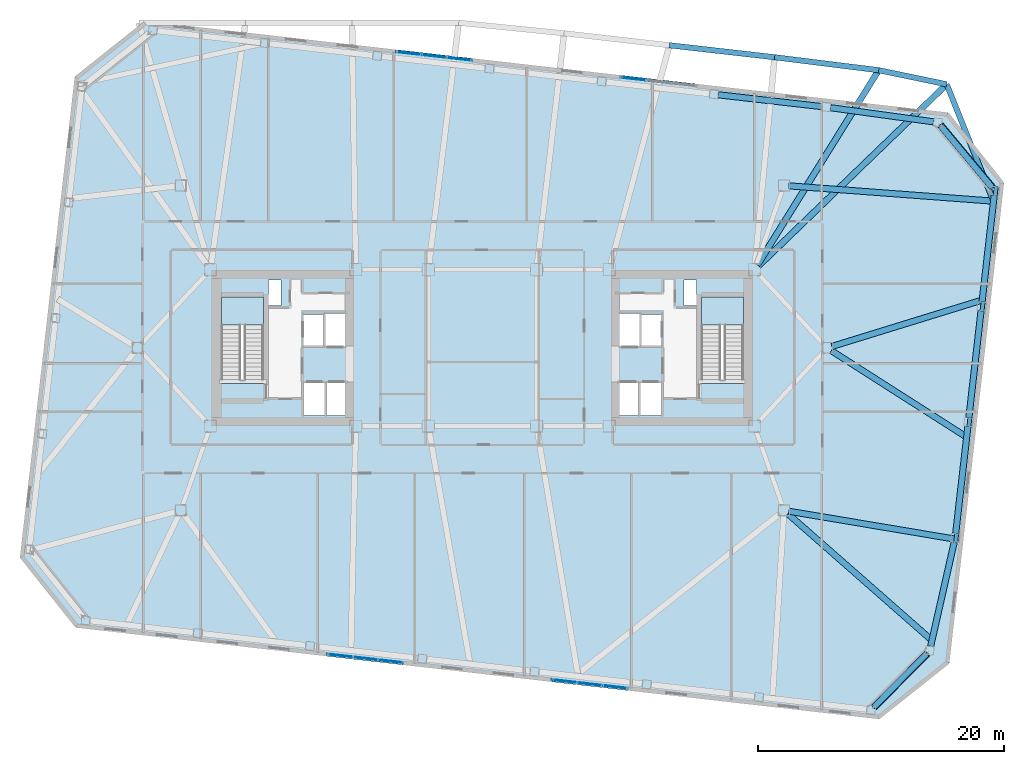
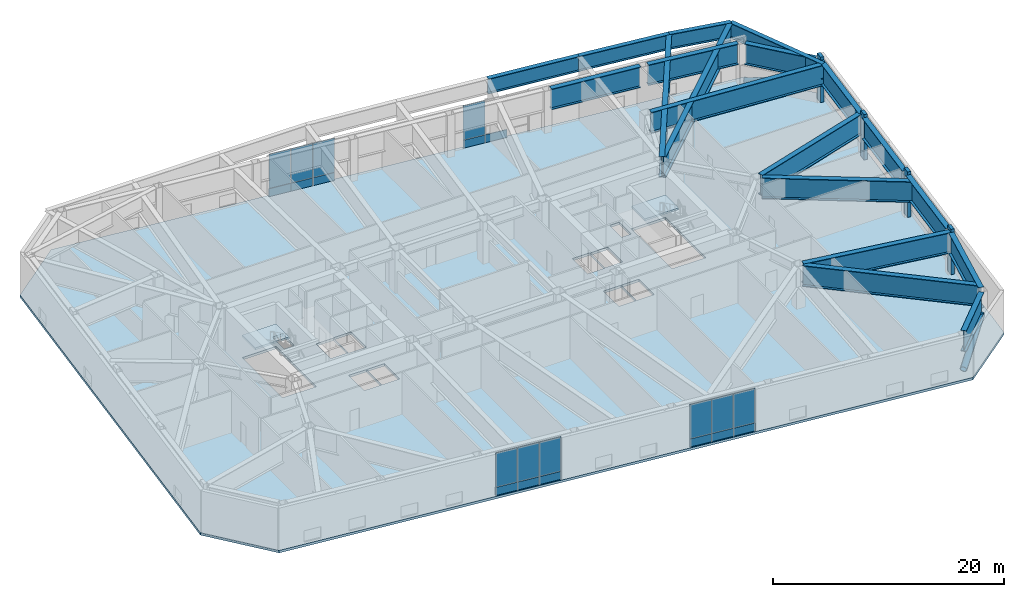
# One storey, part 9 of 19: 21 plates, 19 beams, 6 members, 3 slabs, 6 elements without a shape of their own.
"""IFC4 building model written with IfcOpenShell, lengths in metres."""

from ifc_helpers import new_model, si_unit, direction, frame, origin, origin_2d, place, context, subcontext, project, spatial, polyline, rectangle, hollow_circle, i_section, outline, extrude, material, layer, layer_set, material_profile, profile_set, type_object, element, aggregate, save


model = new_model("IFC4")

# Units and contexts
model_context = context("Model", 3, precision=1e-05, world=origin(), true_north=direction((0.0, 1.0)))
body_context = subcontext(model_context, "Body", "Model", "MODEL_VIEW")
ifc_project = project(units=[si_unit("LENGTHUNIT", "METRE"), si_unit("AREAUNIT", "SQUARE_METRE"), si_unit("VOLUMEUNIT", "CUBIC_METRE"), si_unit("PLANEANGLEUNIT", "RADIAN"), si_unit("MASSUNIT", "GRAM", prefix="KILO")], contexts=[model_context])

# Site, building, storey
site_placement = place(None, origin())
site = spatial("IfcSite", under=ifc_project, at=site_placement, CompositionType="ELEMENT")
building_placement = place(site_placement, origin())
building = spatial("IfcBuilding", under=site, at=building_placement, Name="Tavrogorsk Clinical Tower", CompositionType="ELEMENT")
storey_placement = place(building_placement, frame((0.0, 0.0, 141.39990234375)))
storey = spatial("IfcBuildingStorey", under=building, at=storey_placement, Name="L32", CompositionType="ELEMENT", Elevation=141.39990234375)

# Members
ifc_material_1 = material(Name="Structural steel S440", Category="steel")
ifc_material_profile_1 = material_profile(ifc_material_1, hollow_circle(Radius=0.304931640625, WallThickness=0.02490234375, at=origin_2d()), Name="CHS-610x25")
ifc_profile_set_1 = profile_set([ifc_material_profile_1], Name="Structural steel S440")
member_type_1 = type_object("IfcMemberType", Name="ExoBrace_CHS610", PredefinedType="BRACE", material=ifc_profile_set_1)
member_1_placement = place(storey_placement, frame((31.8251953125, -29.15625, 0.3984375), z_axis=(0.675898509761, 0.68397805612, 0.274472627505), x_axis=(-0.711295418536, 0.702893183614, 0.0)))
element("IfcMember", 1, at=member_1_placement, inside=storey, type_object=member_type_1, Name="L32 Corner Exoskeleton Brace S8-E1", PredefinedType="BRACE", context=body_context, shape_type="SweptSolid", body=[
    extrude(hollow_circle(Radius=0.304931640625, WallThickness=0.02490234375, at=origin_2d()), origin(), (0.0, 0.0, 1.0), 6.3154296875),
])
member_2_placement = place(storey_placement, frame((37.218017578125, 18.057861328125, 0.392578125), z_axis=(0.618518513968, -0.742178890498, 0.258080108449), x_axis=(0.76820289999, 0.64020645455, 0.0)))
element("IfcMember", 2, at=member_2_placement, inside=storey, type_object=member_type_1, Name="L32 Corner Exoskeleton Brace E5-N1", PredefinedType="BRACE", context=body_context, shape_type="SweptSolid", body=[
    extrude(hollow_circle(Radius=0.304931640625, WallThickness=0.02490234375, at=origin_2d()), origin(), (0.0, 0.0, 1.0), 6.761962890625),
])
ifc_material_2 = material(Name="Precast concrete B45 with limestone cladding", Category="masonry")
ifc_material_profile_2 = material_profile(ifc_material_2, rectangle(XDim=0.320068359375, YDim=0.719970703125, at=origin_2d()), Name="LIMESTONE-FIN-320x720")
ifc_profile_set_2 = profile_set([ifc_material_profile_2], Name="Precast concrete B45 with limestone cladding")
member_type_2 = type_object("IfcMemberType", Name="LimestonePleatFin_320x720", PredefinedType="USERDEFINED", material=ifc_profile_set_2)
for number, where, z_axis, x_axis, name in (
    (3, (38.48876953125, -15.432861328125, 0.0), (0.0, 0.0, 1.0), (0.993571855677, -0.113203213768, 0.0), "L32 E Pleated Stone Fin 1"),
    (4, (39.5595703125, -6.03369140625, 0.0), (0.0, 0.0, 1.0), (0.993571855677, -0.113203213768, 0.0), "L32 E Pleated Stone Fin 2"),
    (5, (40.63037109375, 3.365234375, 0.0), (0.0, 0.0, 1.0), (0.993571855677, -0.113203213768, 0.0), "L32 E Pleated Stone Fin 3"),
    (6, (41.701416015625, 12.7646484375, 0.0), (0.0, 0.0, 1.0), (0.993571855677, -0.113203213768, 0.0), "L32 E Pleated Stone Fin 4"),
):
    element("IfcMember", number, at=place(storey_placement, frame(where, z_axis=z_axis, x_axis=x_axis)), inside=storey, type_object=member_type_2, Name=name, ObjectType="FIN", PredefinedType="USERDEFINED", context=body_context, shape_type="SweptSolid", body=[
        extrude(rectangle(XDim=0.320068359375, YDim=0.719970703125, at=origin_2d()), origin(), (0.0, 0.0, 1.0), 4.800048828125),
    ])

# Beams
ifc_material_3 = material(Name="Structural steel S440", Category="steel")
ifc_material_profile_3 = material_profile(ifc_material_3, i_section(OverallWidth=0.449951171875, OverallDepth=1.60009765625, WebThickness=0.031982421875, FlangeThickness=0.050048828125, at=origin_2d()), Name="DK-1600x450x32x50")
ifc_profile_set_3 = profile_set([ifc_material_profile_3], Name="Structural steel S440")
beam_type_1 = type_object("IfcBeamType", Name="TransferGirder_DK1600", PredefinedType="USERDEFINED", material=ifc_profile_set_3)
beam_1_placement = place(storey_placement, frame((41.525146484375, 11.925048828125, 3.68017578125), z_axis=(-0.371999630483, 0.928232877526, 0.0), x_axis=(-0.928232877526, -0.371999630483, 0.0)))
element("IfcBeam", 7, at=beam_1_placement, inside=storey, type_object=beam_type_1, Name="L33 Transfer Edge Girder E4-E5", ObjectType="GIRDER", PredefinedType="USERDEFINED", context=body_context, shape_type="SweptSolid", body=[
    extrude(i_section(OverallWidth=0.449951171875, OverallDepth=1.60009765625, WebThickness=0.031982421875, FlangeThickness=0.050048828125, at=origin_2d()), origin(), (0.0, 0.0, 1.0), 10.22900390625),
])
beam_2_placement = place(storey_placement, frame((37.719970703125, 21.419921875, 3.68017578125), z_axis=(-0.979184618318, 0.202971631636, 0.0), x_axis=(-0.202971631636, -0.979184618318, 0.0)))
element("IfcBeam", 8, at=beam_2_placement, inside=storey, type_object=beam_type_1, Name="L33 Transfer Edge Girder E5-N1", ObjectType="GIRDER", PredefinedType="USERDEFINED", context=body_context, shape_type="SweptSolid", body=[
    extrude(i_section(OverallWidth=0.449951171875, OverallDepth=1.60009765625, WebThickness=0.031982421875, FlangeThickness=0.050048828125, at=origin_2d()), origin(), (0.0, 0.0, 1.0), 5.64599609375),
])
beam_3_placement = place(storey_placement, frame((32.19140625, 22.56591796875, 3.68017578125), z_axis=(-0.992345627756, 0.123491518223, 0.0), x_axis=(-0.123491518223, -0.992345627756, 0.0)))
element("IfcBeam", 9, at=beam_3_placement, inside=storey, type_object=beam_type_1, Name="L33 Transfer Edge Girder N1-N2", ObjectType="GIRDER", PredefinedType="USERDEFINED", context=body_context, shape_type="SweptSolid", body=[
    extrude(i_section(OverallWidth=0.449951171875, OverallDepth=1.60009765625, WebThickness=0.031982421875, FlangeThickness=0.050048828125, at=origin_2d()), origin(), (0.0, 0.0, 1.0), 8.518798828125),
])
beam_4_placement = place(storey_placement, frame((23.73779296875, 23.617919921875, 3.68017578125), z_axis=(-0.993571653047, 0.113204992215, 0.0), x_axis=(-0.113204992215, -0.993571653047, 0.0)))
element("IfcBeam", 10, at=beam_4_placement, inside=storey, type_object=beam_type_1, Name="L33 Transfer Edge Girder N2-N3", ObjectType="GIRDER", PredefinedType="USERDEFINED", context=body_context, shape_type="SweptSolid", body=[
    extrude(i_section(OverallWidth=0.449951171875, OverallDepth=1.60009765625, WebThickness=0.031982421875, FlangeThickness=0.050048828125, at=origin_2d()), origin(), (0.0, 0.0, 1.0), 8.607177734375),
])
ifc_material_4 = material(Name="Structural steel S440", Category="steel")
ifc_material_profile_4 = material_profile(ifc_material_4, i_section(OverallWidth=0.5, OverallDepth=2.199951171875, WebThickness=0.035888671875, FlangeThickness=0.054931640625, at=origin_2d()), Name="DK-2200x500x36x55")
ifc_profile_set_4 = profile_set([ifc_material_profile_4], Name="Structural steel S440")
beam_type_2 = type_object("IfcBeamType", Name="TransferGirder_DK2200", PredefinedType="USERDEFINED", material=ifc_profile_set_4)
beam_5_placement = place(storey_placement, frame((31.834716796875, -29.146240234375, 3.380126953125), z_axis=(0.702934929184, 0.711254163667, 0.0), x_axis=(-0.711254163667, 0.702934929184, 0.0)))
element("IfcBeam", 11, at=beam_5_placement, inside=storey, type_object=beam_type_2, Name="L32 Perimeter Spandrel S8-E1", ObjectType="GIRDER", PredefinedType="USERDEFINED", context=body_context, shape_type="SweptSolid", body=[
    extrude(i_section(OverallWidth=0.5, OverallDepth=2.199951171875, WebThickness=0.035888671875, FlangeThickness=0.054931640625, at=origin_2d()), origin(), (0.0, 0.0, 1.0), 6.04541015625),
])
beam_6_placement = place(storey_placement, frame((36.414794921875, -24.242431640625, 3.380126953125), z_axis=(0.220602599501, 0.975363774749, 0.0), x_axis=(-0.975363774749, 0.220602599501, 0.0)))
element("IfcBeam", 12, at=beam_6_placement, inside=storey, type_object=beam_type_2, Name="L32 Perimeter Spandrel E1-E2", ObjectType="GIRDER", PredefinedType="USERDEFINED", context=body_context, shape_type="SweptSolid", body=[
    extrude(i_section(OverallWidth=0.5, OverallDepth=2.199951171875, WebThickness=0.035888671875, FlangeThickness=0.054931640625, at=origin_2d()), origin(), (0.0, 0.0, 1.0), 8.68310546875),
])
for number, where, z_axis, x_axis, name in (
    (13, (38.44970703125, -15.068115234375, 3.380126953125), (0.113192226434, 0.993573107464, 0.0), (-0.993573107464, 0.113192226434, 0.0), "L32 Perimeter Spandrel E2-E3"),
    (14, (39.520751953125, -5.6689453125, 3.380126953125), (0.113192226434, 0.993573107464, 0.0), (-0.993573107464, 0.113192226434, 0.0), "L32 Perimeter Spandrel E3-E4"),
):
    element("IfcBeam", number, at=place(storey_placement, frame(where, z_axis=z_axis, x_axis=x_axis)), inside=storey, type_object=beam_type_2, Name=name, ObjectType="GIRDER", PredefinedType="USERDEFINED", context=body_context, shape_type="SweptSolid", body=[
        extrude(i_section(OverallWidth=0.5, OverallDepth=2.199951171875, WebThickness=0.035888671875, FlangeThickness=0.054931640625, at=origin_2d()), origin(), (0.0, 0.0, 1.0), 8.743896484375),
    ])
beam_7_placement = place(storey_placement, frame((40.591552734375, 3.72998046875, 3.380126953125), z_axis=(0.113189086379, 0.993573465188, 0.0), x_axis=(-0.993573465188, 0.113189086379, 0.0)))
element("IfcBeam", 15, at=beam_7_placement, inside=storey, type_object=beam_type_2, Name="L32 Perimeter Spandrel E4-E5", ObjectType="GIRDER", PredefinedType="USERDEFINED", context=body_context, shape_type="SweptSolid", body=[
    extrude(i_section(OverallWidth=0.5, OverallDepth=2.199951171875, WebThickness=0.035888671875, FlangeThickness=0.054931640625, at=origin_2d()), origin(), (0.0, 0.0, 1.0), 8.744140625),
])
beam_8_placement = place(storey_placement, frame((41.392578125, 13.048583984375, 3.380126953125), z_axis=(-0.640191778751, 0.768215130299, 0.0), x_axis=(-0.768215130299, -0.640191778751, 0.0)))
element("IfcBeam", 16, at=beam_8_placement, inside=storey, type_object=beam_type_2, Name="L32 Perimeter Spandrel E5-N1", ObjectType="GIRDER", PredefinedType="USERDEFINED", context=body_context, shape_type="SweptSolid", body=[
    extrude(i_section(OverallWidth=0.5, OverallDepth=2.199951171875, WebThickness=0.035888671875, FlangeThickness=0.054931640625, at=origin_2d()), origin(), (0.0, 0.0, 1.0), 6.508544921875),
])
beam_9_placement = place(storey_placement, frame((36.641845703125, 18.3720703125, 3.380126953125), z_axis=(-0.990722121657, 0.135903192232, 0.0), x_axis=(-0.135903192232, -0.990722121657, 0.0)))
element("IfcBeam", 17, at=beam_9_placement, inside=storey, type_object=beam_type_2, Name="L32 Perimeter Spandrel N1-N2", ObjectType="GIRDER", PredefinedType="USERDEFINED", context=body_context, shape_type="SweptSolid", body=[
    extrude(i_section(OverallWidth=0.5, OverallDepth=2.199951171875, WebThickness=0.035888671875, FlangeThickness=0.054931640625, at=origin_2d()), origin(), (0.0, 0.0, 1.0), 8.439697265625),
])
beam_10_placement = place(storey_placement, frame((27.5703125, 19.608154296875, 3.380126953125), z_axis=(-0.993569819641, 0.113221082395, 0.0), x_axis=(-0.113221082395, -0.993569819641, 0.0)))
element("IfcBeam", 18, at=beam_10_placement, inside=storey, type_object=beam_type_2, Name="L32 Perimeter Spandrel N2-N3", ObjectType="GIRDER", PredefinedType="USERDEFINED", context=body_context, shape_type="SweptSolid", body=[
    extrude(i_section(OverallWidth=0.5, OverallDepth=2.199951171875, WebThickness=0.035888671875, FlangeThickness=0.054931640625, at=origin_2d()), origin(), (0.0, 0.0, 1.0), 8.46142578125),
])
beam_11_placement = place(storey_placement, frame((24.80810546875, -13.470458984375, 3.380126953125), z_axis=(0.751323205292, -0.659934421886, 0.0), x_axis=(0.659934421886, 0.751323205292, 0.0)))
element("IfcBeam", 19, at=beam_11_placement, inside=storey, type_object=beam_type_2, Name="L33 Block Transfer Girder S8", ObjectType="GIRDER", PredefinedType="USERDEFINED", context=body_context, shape_type="SweptSolid", body=[
    extrude(i_section(OverallWidth=0.5, OverallDepth=2.199951171875, WebThickness=0.035888671875, FlangeThickness=0.054931640625, at=origin_2d()), origin(), (0.0, 0.0, 1.0), 15.59326171875),
])
beam_12_placement = place(storey_placement, frame((22.343017578125, 6.740478515625, 3.380126953125), z_axis=(0.528357909772, 0.849021742467, 0.0), x_axis=(-0.849021742467, 0.528357909772, 0.0)))
element("IfcBeam", 20, at=beam_12_placement, inside=storey, type_object=beam_type_2, Name="L33 Block Transfer Girder N1", ObjectType="GIRDER", PredefinedType="USERDEFINED", context=body_context, shape_type="SweptSolid", body=[
    extrude(i_section(OverallWidth=0.5, OverallDepth=2.199951171875, WebThickness=0.035888671875, FlangeThickness=0.054931640625, at=origin_2d()), origin(), (0.0, 0.0, 1.0), 18.6396484375),
])
beam_13_placement = place(storey_placement, frame((24.904296875, -13.267822265625, 3.380126953125), z_axis=(0.986192376593, -0.165603732899, 0.0), x_axis=(0.165603732899, 0.986192376593, 0.0)))
element("IfcBeam", 21, at=beam_13_placement, inside=storey, type_object=beam_type_2, Name="L33 Block Transfer Girder E1", ObjectType="GIRDER", PredefinedType="USERDEFINED", context=body_context, shape_type="SweptSolid", body=[
    extrude(i_section(OverallWidth=0.5, OverallDepth=2.199951171875, WebThickness=0.035888671875, FlangeThickness=0.054931640625, at=origin_2d()), origin(), (0.0, 0.0, 1.0), 13.669189453125),
])
beam_14_placement = place(storey_placement, frame((28.345458984375, -0.220703125, 3.380126953125), z_axis=(0.842698617882, -0.538385586192, 0.0), x_axis=(0.538385586192, 0.842698617882, 0.0)))
element("IfcBeam", 22, at=beam_14_placement, inside=storey, type_object=beam_type_2, Name="L33 Block Transfer Girder E2", ObjectType="GIRDER", PredefinedType="USERDEFINED", context=body_context, shape_type="SweptSolid", body=[
    extrude(i_section(OverallWidth=0.5, OverallDepth=2.199951171875, WebThickness=0.035888671875, FlangeThickness=0.054931640625, at=origin_2d()), origin(), (0.0, 0.0, 1.0), 13.048095703125),
])
beam_15_placement = place(storey_placement, frame((28.391845703125, 0.120849609375, 3.380126953125), z_axis=(0.955519801665, 0.294926954728, 0.0), x_axis=(-0.294926954728, 0.955519801665, 0.0)))
element("IfcBeam", 23, at=beam_15_placement, inside=storey, type_object=beam_type_2, Name="L33 Block Transfer Girder E3", ObjectType="GIRDER", PredefinedType="USERDEFINED", context=body_context, shape_type="SweptSolid", body=[
    extrude(i_section(OverallWidth=0.5, OverallDepth=2.199951171875, WebThickness=0.035888671875, FlangeThickness=0.054931640625, at=origin_2d()), origin(), (0.0, 0.0, 1.0), 12.787109375),
])
beam_16_placement = place(storey_placement, frame((24.908935546875, 13.16943359375, 3.380126953125), z_axis=(0.997207499488, -0.074680673301, 0.0), x_axis=(0.074680673301, 0.997207499488, 0.0)))
element("IfcBeam", 24, at=beam_16_placement, inside=storey, type_object=beam_type_2, Name="L33 Block Transfer Girder E4", ObjectType="GIRDER", PredefinedType="USERDEFINED", context=body_context, shape_type="SweptSolid", body=[
    extrude(i_section(OverallWidth=0.5, OverallDepth=2.199951171875, WebThickness=0.035888671875, FlangeThickness=0.054931640625, at=origin_2d()), origin(), (0.0, 0.0, 1.0), 16.662841796875),
])
beam_17_placement = place(storey_placement, frame((22.43115234375, 6.66943359375, 3.380126953125), z_axis=(0.719663186559, 0.694323338159, 0.0), x_axis=(-0.694323338159, 0.719663186559, 0.0)))
element("IfcBeam", 25, at=beam_17_placement, inside=storey, type_object=beam_type_2, Name="L33 Block Transfer Girder E5", ObjectType="GIRDER", PredefinedType="USERDEFINED", context=body_context, shape_type="SweptSolid", body=[
    extrude(i_section(OverallWidth=0.5, OverallDepth=2.199951171875, WebThickness=0.035888671875, FlangeThickness=0.054931640625, at=origin_2d()), origin(), (0.0, 0.0, 1.0), 21.244384765625),
])

# Curtain wall, plates
ifc_material_5 = material(Name="Anodised aluminium and triple IGU glazing", Category="aluminium")
ifc_layer_1 = layer(ifc_material_5, 0.179931640625)
ifc_layer_set_1 = layer_set([ifc_layer_1], Name="Anodised aluminium and triple IGU glazing")
curtain_wall_type = type_object("IfcCurtainWallType", Name="CW5_SkyLobby", PredefinedType="NOTDEFINED", material=ifc_layer_set_1)
curtain_wall_1_placement = place(storey_placement, origin())
curtain_wall_1 = element("IfcCurtainWall", 26, at=curtain_wall_1_placement, inside=storey, type_object=curtain_wall_type, Name="L32 Curtain Wall CW-L32-S-CW5-1", PredefinedType="NOTDEFINED")
ifc_material_6 = material(Name="Honed Podolsk limestone spandrel panel", Category="masonry")
ifc_layer_2 = layer(ifc_material_6, 0.080078125)
ifc_layer_set_2 = layer_set([ifc_layer_2], Name="Honed Podolsk limestone spandrel panel")
plate_type_1 = type_object("IfcPlateType", Name="CwSpandrelStonePanel_80", PredefinedType="CURTAIN_PANEL", material=ifc_layer_set_2)
plate_1_placement = place(storey_placement, frame((-11.568359375, -24.997802734375, 0.002197265625), z_axis=(0.0, 0.0, 1.0), x_axis=(0.993571847378, -0.113203286601, 0.0)))
plate_1 = element("IfcPlate", 27, at=plate_1_placement, type_object=plate_type_1, Name="CW-L32-S-CW5-1 Stone Spandrel Panel 1", PredefinedType="CURTAIN_PANEL", context=body_context, shape_type="SweptSolid", body=[
    extrude(rectangle(XDim=2.057373046875, YDim=0.080078125, at=origin_2d()), origin(), (0.0, 0.0, 1.0), 0.8359375),
])
plate_2_placement = place(storey_placement, frame((-9.50634765625, -25.23291015625, 0.002197265625), z_axis=(0.0, 0.0, 1.0), x_axis=(0.993571847378, -0.113203286601, 0.0)))
plate_2 = element("IfcPlate", 28, at=plate_2_placement, type_object=plate_type_1, Name="CW-L32-S-CW5-1 Stone Spandrel Panel 2", PredefinedType="CURTAIN_PANEL", context=body_context, shape_type="SweptSolid", body=[
    extrude(rectangle(XDim=2.04541015625, YDim=0.080078125, at=origin_2d()), origin(), (0.0, 0.0, 1.0), 0.8359375),
])
plate_3_placement = place(storey_placement, frame((-7.4443359375, -25.4677734375, 0.002197265625), z_axis=(0.0, 0.0, 1.0), x_axis=(0.993571847378, -0.113203286601, 0.0)))
plate_3 = element("IfcPlate", 29, at=plate_3_placement, type_object=plate_type_1, Name="CW-L32-S-CW5-1 Stone Spandrel Panel 3", PredefinedType="CURTAIN_PANEL", context=body_context, shape_type="SweptSolid", body=[
    extrude(rectangle(XDim=2.057373046875, YDim=0.080078125, at=origin_2d()), origin(), (0.0, 0.0, 1.0), 0.8359375),
])

curtain_wall_2_placement = place(storey_placement, origin())
curtain_wall_2 = element("IfcCurtainWall", 30, at=curtain_wall_2_placement, inside=storey, type_object=curtain_wall_type, Name="L32 Curtain Wall CW-L32-S-CW5-2", PredefinedType="NOTDEFINED")
plate_4_placement = place(storey_placement, frame((6.66796875, -27.07568359375, 0.002197265625), z_axis=(0.0, 0.0, 1.0), x_axis=(0.993571847378, -0.113203286601, 0.0)))
plate_4 = element("IfcPlate", 31, at=plate_4_placement, type_object=plate_type_1, Name="CW-L32-S-CW5-2 Stone Spandrel Panel 1", PredefinedType="CURTAIN_PANEL", context=body_context, shape_type="SweptSolid", body=[
    extrude(rectangle(XDim=2.057373046875, YDim=0.080078125, at=origin_2d()), origin(), (0.0, 0.0, 1.0), 0.8359375),
])
plate_5_placement = place(storey_placement, frame((8.72998046875, -27.310546875, 0.002197265625), z_axis=(0.0, 0.0, 1.0), x_axis=(0.993571847378, -0.113203286601, 0.0)))
plate_5 = element("IfcPlate", 32, at=plate_5_placement, type_object=plate_type_1, Name="CW-L32-S-CW5-2 Stone Spandrel Panel 2", PredefinedType="CURTAIN_PANEL", context=body_context, shape_type="SweptSolid", body=[
    extrude(rectangle(XDim=2.04541015625, YDim=0.080078125, at=origin_2d()), origin(), (0.0, 0.0, 1.0), 0.8359375),
])
plate_6_placement = place(storey_placement, frame((10.7919921875, -27.54541015625, 0.002197265625), z_axis=(0.0, 0.0, 1.0), x_axis=(0.993571847378, -0.113203286601, 0.0)))
plate_6 = element("IfcPlate", 33, at=plate_6_placement, type_object=plate_type_1, Name="CW-L32-S-CW5-2 Stone Spandrel Panel 3", PredefinedType="CURTAIN_PANEL", context=body_context, shape_type="SweptSolid", body=[
    extrude(rectangle(XDim=2.057373046875, YDim=0.080078125, at=origin_2d()), origin(), (0.0, 0.0, 1.0), 0.8359375),
])

curtain_wall_3_placement = place(storey_placement, origin())
curtain_wall_3 = element("IfcCurtainWall", 34, at=curtain_wall_3_placement, inside=storey, type_object=curtain_wall_type, Name="L32 Curtain Wall CW-L32-N-CW5-1", PredefinedType="NOTDEFINED")
plate_7_placement = place(storey_placement, frame((-1.867919921875, 23.4755859375, 0.002197265625), z_axis=(0.0, 0.0, 1.0), x_axis=(-0.993571847378, 0.113203286601, 0.0)))
plate_7 = element("IfcPlate", 35, at=plate_7_placement, type_object=plate_type_1, Name="CW-L32-N-CW5-1 Stone Spandrel Panel 1", PredefinedType="CURTAIN_PANEL", context=body_context, shape_type="SweptSolid", body=[
    extrude(rectangle(XDim=2.057373046875, YDim=0.080078125, at=origin_2d()), origin(), (0.0, 0.0, 1.0), 0.8359375),
])
plate_8_placement = place(storey_placement, frame((-3.929931640625, 23.71044921875, 0.002197265625), z_axis=(0.0, 0.0, 1.0), x_axis=(-0.993571847378, 0.113203286601, 0.0)))
plate_8 = element("IfcPlate", 36, at=plate_8_placement, type_object=plate_type_1, Name="CW-L32-N-CW5-1 Stone Spandrel Panel 2", PredefinedType="CURTAIN_PANEL", context=body_context, shape_type="SweptSolid", body=[
    extrude(rectangle(XDim=2.04541015625, YDim=0.080078125, at=origin_2d()), origin(), (0.0, 0.0, 1.0), 0.8359375),
])
plate_9_placement = place(storey_placement, frame((-5.991943359375, 23.945556640625, 0.002197265625), z_axis=(0.0, 0.0, 1.0), x_axis=(-0.993571847378, 0.113203286601, 0.0)))
plate_9 = element("IfcPlate", 37, at=plate_9_placement, type_object=plate_type_1, Name="CW-L32-N-CW5-1 Stone Spandrel Panel 3", PredefinedType="CURTAIN_PANEL", context=body_context, shape_type="SweptSolid", body=[
    extrude(rectangle(XDim=2.057373046875, YDim=0.080078125, at=origin_2d()), origin(), (0.0, 0.0, 1.0), 0.8359375),
])

curtain_wall_4_placement = place(storey_placement, origin())
curtain_wall_4 = element("IfcCurtainWall", 38, at=curtain_wall_4_placement, inside=storey, type_object=curtain_wall_type, Name="L32 Curtain Wall CW-L32-N-CW5-2", PredefinedType="NOTDEFINED")
plate_10_placement = place(storey_placement, frame((14.306396484375, 21.6328125, 0.002197265625), z_axis=(0.0, 0.0, 1.0), x_axis=(-0.993571847378, 0.113203286601, 0.0)))
plate_10 = element("IfcPlate", 39, at=plate_10_placement, type_object=plate_type_1, Name="CW-L32-N-CW5-2 Stone Spandrel Panel 2", PredefinedType="CURTAIN_PANEL", context=body_context, shape_type="SweptSolid", body=[
    extrude(rectangle(XDim=2.04541015625, YDim=0.080078125, at=origin_2d()), origin(), (0.0, 0.0, 1.0), 0.8359375),
])
plate_11_placement = place(storey_placement, frame((12.244384765625, 21.86767578125, 0.002197265625), z_axis=(0.0, 0.0, 1.0), x_axis=(-0.993571847378, 0.113203286601, 0.0)))
plate_11 = element("IfcPlate", 40, at=plate_11_placement, type_object=plate_type_1, Name="CW-L32-N-CW5-2 Stone Spandrel Panel 3", PredefinedType="CURTAIN_PANEL", context=body_context, shape_type="SweptSolid", body=[
    extrude(rectangle(XDim=2.057373046875, YDim=0.080078125, at=origin_2d()), origin(), (0.0, 0.0, 1.0), 0.8359375),
])

# Plate
ifc_material_7 = material(Name="Triple low-E argon insulated glass", Category="glass")
ifc_layer_3 = layer(ifc_material_7, 0.048095703125)
ifc_layer_set_3 = layer_set([ifc_layer_3], Name="Triple low-E argon insulated glass")
plate_type_2 = type_object("IfcPlateType", Name="CwVisionGlassPanel_48", PredefinedType="CURTAIN_PANEL", material=ifc_layer_set_3)
plate_12_placement = place(storey_placement, frame((-11.568359375, -24.997802734375, 0.8623046875), z_axis=(0.0, 0.0, 1.0), x_axis=(0.993571847378, -0.113203286601, 0.0)))
plate_12 = element("IfcPlate", 41, at=plate_12_placement, type_object=plate_type_2, Name="CW-L32-S-CW5-1 Glazing Panel 1", PredefinedType="CURTAIN_PANEL", context=body_context, shape_type="SweptSolid", body=[
    extrude(rectangle(XDim=2.057373046875, YDim=0.048095703125, at=origin_2d()), origin(), (0.0, 0.0, 1.0), 3.615966796875),
])

plate_13_placement = place(storey_placement, frame((-9.50634765625, -25.23291015625, 0.8623046875), z_axis=(0.0, 0.0, 1.0), x_axis=(0.993571847378, -0.113203286601, 0.0)))
plate_13 = element("IfcPlate", 42, at=plate_13_placement, type_object=plate_type_2, Name="CW-L32-S-CW5-1 Glazing Panel 2", PredefinedType="CURTAIN_PANEL", context=body_context, shape_type="SweptSolid", body=[
    extrude(rectangle(XDim=2.04541015625, YDim=0.048095703125, at=origin_2d()), origin(), (0.0, 0.0, 1.0), 3.615966796875),
])

plate_14_placement = place(storey_placement, frame((-7.4443359375, -25.4677734375, 0.8623046875), z_axis=(0.0, 0.0, 1.0), x_axis=(0.993571847378, -0.113203286601, 0.0)))
plate_14 = element("IfcPlate", 43, at=plate_14_placement, type_object=plate_type_2, Name="CW-L32-S-CW5-1 Glazing Panel 3", PredefinedType="CURTAIN_PANEL", context=body_context, shape_type="SweptSolid", body=[
    extrude(rectangle(XDim=2.057373046875, YDim=0.048095703125, at=origin_2d()), origin(), (0.0, 0.0, 1.0), 3.615966796875),
])

aggregate(curtain_wall_1, [plate_1, plate_12, plate_2, plate_13, plate_3, plate_14])

plate_15_placement = place(storey_placement, frame((6.66796875, -27.07568359375, 0.8623046875), z_axis=(0.0, 0.0, 1.0), x_axis=(0.993571847378, -0.113203286601, 0.0)))
plate_15 = element("IfcPlate", 44, at=plate_15_placement, type_object=plate_type_2, Name="CW-L32-S-CW5-2 Glazing Panel 1", PredefinedType="CURTAIN_PANEL", context=body_context, shape_type="SweptSolid", body=[
    extrude(rectangle(XDim=2.057373046875, YDim=0.048095703125, at=origin_2d()), origin(), (0.0, 0.0, 1.0), 3.615966796875),
])

plate_16_placement = place(storey_placement, frame((8.72998046875, -27.310546875, 0.8623046875), z_axis=(0.0, 0.0, 1.0), x_axis=(0.993571847378, -0.113203286601, 0.0)))
plate_16 = element("IfcPlate", 45, at=plate_16_placement, type_object=plate_type_2, Name="CW-L32-S-CW5-2 Glazing Panel 2", PredefinedType="CURTAIN_PANEL", context=body_context, shape_type="SweptSolid", body=[
    extrude(rectangle(XDim=2.04541015625, YDim=0.048095703125, at=origin_2d()), origin(), (0.0, 0.0, 1.0), 3.615966796875),
])

plate_17_placement = place(storey_placement, frame((10.7919921875, -27.54541015625, 0.8623046875), z_axis=(0.0, 0.0, 1.0), x_axis=(0.993571847378, -0.113203286601, 0.0)))
plate_17 = element("IfcPlate", 46, at=plate_17_placement, type_object=plate_type_2, Name="CW-L32-S-CW5-2 Glazing Panel 3", PredefinedType="CURTAIN_PANEL", context=body_context, shape_type="SweptSolid", body=[
    extrude(rectangle(XDim=2.057373046875, YDim=0.048095703125, at=origin_2d()), origin(), (0.0, 0.0, 1.0), 3.615966796875),
])

aggregate(curtain_wall_2, [plate_4, plate_15, plate_5, plate_16, plate_6, plate_17])

plate_18_placement = place(storey_placement, frame((-1.867919921875, 23.4755859375, 0.8623046875), z_axis=(0.0, 0.0, 1.0), x_axis=(-0.993571847378, 0.113203286601, 0.0)))
plate_18 = element("IfcPlate", 47, at=plate_18_placement, type_object=plate_type_2, Name="CW-L32-N-CW5-1 Glazing Panel 1", PredefinedType="CURTAIN_PANEL", context=body_context, shape_type="SweptSolid", body=[
    extrude(rectangle(XDim=2.057373046875, YDim=0.048095703125, at=origin_2d()), origin(), (0.0, 0.0, 1.0), 3.615966796875),
])

plate_19_placement = place(storey_placement, frame((-3.929931640625, 23.71044921875, 0.8623046875), z_axis=(0.0, 0.0, 1.0), x_axis=(-0.993571847378, 0.113203286601, 0.0)))
plate_19 = element("IfcPlate", 48, at=plate_19_placement, type_object=plate_type_2, Name="CW-L32-N-CW5-1 Glazing Panel 2", PredefinedType="CURTAIN_PANEL", context=body_context, shape_type="SweptSolid", body=[
    extrude(rectangle(XDim=2.04541015625, YDim=0.048095703125, at=origin_2d()), origin(), (0.0, 0.0, 1.0), 3.615966796875),
])

plate_20_placement = place(storey_placement, frame((-5.991943359375, 23.945556640625, 0.8623046875), z_axis=(0.0, 0.0, 1.0), x_axis=(-0.993571847378, 0.113203286601, 0.0)))
plate_20 = element("IfcPlate", 49, at=plate_20_placement, type_object=plate_type_2, Name="CW-L32-N-CW5-1 Glazing Panel 3", PredefinedType="CURTAIN_PANEL", context=body_context, shape_type="SweptSolid", body=[
    extrude(rectangle(XDim=2.057373046875, YDim=0.048095703125, at=origin_2d()), origin(), (0.0, 0.0, 1.0), 3.615966796875),
])

aggregate(curtain_wall_3, [plate_7, plate_18, plate_8, plate_19, plate_9, plate_20])

plate_21_placement = place(storey_placement, frame((12.244384765625, 21.86767578125, 0.8623046875), z_axis=(0.0, 0.0, 1.0), x_axis=(-0.993571847378, 0.113203286601, 0.0)))
plate_21 = element("IfcPlate", 50, at=plate_21_placement, type_object=plate_type_2, Name="CW-L32-N-CW5-2 Glazing Panel 3", PredefinedType="CURTAIN_PANEL", context=body_context, shape_type="SweptSolid", body=[
    extrude(rectangle(XDim=2.057373046875, YDim=0.048095703125, at=origin_2d()), origin(), (0.0, 0.0, 1.0), 3.615966796875),
])

aggregate(curtain_wall_4, [plate_10, plate_11, plate_21])

# Stair, slab
ifc_material_8 = material(Name="Concrete B60", Category="concrete")
stair_type = type_object("IfcStairType", Name="CoreStairAssembly", PredefinedType="HALF_TURN_STAIR", material=ifc_material_8)
stair_1_placement = place(storey_placement, origin())
stair_1 = element("IfcStair", 51, at=stair_1_placement, inside=storey, type_object=stair_type, Name="L32 ST-W", PredefinedType="HALF_TURN_STAIR")
ifc_material_9 = material(Name="Concrete B60", Category="concrete")
ifc_layer_4 = layer(ifc_material_9, 0.199951171875)
ifc_layer_set_4 = layer_set([ifc_layer_4], Name="Concrete B60")
slab_type_1 = type_object("IfcSlabType", Name="StairLanding_200", PredefinedType="LANDING", material=ifc_layer_set_4)
slab_1_placement = place(storey_placement, frame((0.0, 0.0, 2.2001953125)))
slab_1 = element("IfcSlab", 52, at=slab_1_placement, type_object=slab_type_1, Name="ST-W landing 1", PredefinedType="LANDING", context=body_context, shape_type="SweptSolid", body=[
    extrude(outline(polyline([(-17.800048828125, 1.844970703125), (-17.800048828125, 4.125), (-21.199951171875, 4.125), (-21.199951171875, 1.844970703125), (-17.800048828125, 1.844970703125)])), origin(), (0.0, 0.0, 1.0), 0.199951171875),
])
aggregate(stair_1, [slab_1])

stair_2_placement = place(storey_placement, origin())
stair_2 = element("IfcStair", 53, at=stair_2_placement, inside=storey, type_object=stair_type, Name="L32 ST-E", PredefinedType="HALF_TURN_STAIR")
slab_2_placement = place(storey_placement, frame((0.0, 0.0, 2.2001953125)))
slab_2 = element("IfcSlab", 54, at=slab_2_placement, type_object=slab_type_1, Name="ST-E landing 1", PredefinedType="LANDING", context=body_context, shape_type="SweptSolid", body=[
    extrude(outline(polyline([(21.199951171875, 1.844970703125), (21.199951171875, 4.125), (17.800048828125, 4.125), (17.800048828125, 1.844970703125), (21.199951171875, 1.844970703125)])), origin(), (0.0, 0.0, 1.0), 0.199951171875),
])
aggregate(stair_2, [slab_2])

# Slab
ifc_material_10 = material(Name="Concrete B60", Category="concrete")
ifc_layer_5 = layer(ifc_material_10, 0.260009765625)
ifc_layer_set_5 = layer_set([ifc_layer_5], Name="Concrete B60")
slab_type_2 = type_object("IfcSlabType", Name="WardSlab_260", PredefinedType="FLOOR", material=ifc_layer_set_5)
slab_3_placement = place(storey_placement, frame((0.0, 0.0, -0.260009765625)))
element("IfcSlab", 55, at=slab_3_placement, inside=storey, type_object=slab_type_2, Name="L32 Structural Slab", PredefinedType="FLOOR", context=body_context, shape_type="SweptSolid", body=[
    extrude(outline(polyline([(-32.99658203125, -22.7275390625), (32.181640625, -30.153564453125), (37.93701171875, -25.57568359375), (42.37451171875, 13.372314453125), (37.796630859375, 19.12744140625), (-27.381591796875, 26.5537109375), (-33.136962890625, 21.9755859375), (-37.574462890625, -16.972412109375), (-32.99658203125, -22.7275390625)]), holes=[polyline([(-17.800048828125, -2.8798828125), (-17.800048828125, 4.125), (-21.199951171875, 4.125), (-21.199951171875, -2.8798828125), (-17.800048828125, -2.8798828125)]), polyline([(21.199951171875, -2.8798828125), (21.199951171875, 4.125), (17.800048828125, 4.125), (17.800048828125, -2.8798828125), (21.199951171875, -2.8798828125)]), polyline([(-14.6201171875, 0.169921875), (-12.860107421875, 0.169921875), (-12.860107421875, 2.72998046875), (-14.6201171875, 2.72998046875), (-14.6201171875, 0.169921875)]), polyline([(-14.530029296875, -5.47998046875), (-12.77001953125, -5.47998046875), (-12.77001953125, -2.820068359375), (-14.530029296875, -2.820068359375), (-14.530029296875, -5.47998046875)]), polyline([(-12.72998046875, -5.47998046875), (-10.969970703125, -5.47998046875), (-10.969970703125, -2.820068359375), (-12.72998046875, -2.820068359375), (-12.72998046875, -5.47998046875)]), polyline([(-12.840087890625, 0.1201171875), (-11.080078125, 0.1201171875), (-11.080078125, 2.780029296875), (-12.840087890625, 2.780029296875), (-12.840087890625, 0.1201171875)]), polyline([(12.860107421875, 0.169921875), (14.6201171875, 0.169921875), (14.6201171875, 2.72998046875), (12.860107421875, 2.72998046875), (12.860107421875, 0.169921875)]), polyline([(12.77001953125, -5.47998046875), (14.530029296875, -5.47998046875), (14.530029296875, -2.820068359375), (12.77001953125, -2.820068359375), (12.77001953125, -5.47998046875)]), polyline([(10.969970703125, -5.47998046875), (12.72998046875, -5.47998046875), (12.72998046875, -2.820068359375), (10.969970703125, -2.820068359375), (10.969970703125, -5.47998046875)]), polyline([(11.080078125, 0.1201171875), (12.840087890625, 0.1201171875), (12.840087890625, 2.780029296875), (11.080078125, 2.780029296875), (11.080078125, 0.1201171875)]), polyline([(-17.3798828125, 3.449951171875), (-16.3798828125, 3.449951171875), (-16.3798828125, 5.5), (-17.3798828125, 5.5), (-17.3798828125, 3.449951171875)]), polyline([(16.3798828125, 3.449951171875), (17.3798828125, 3.449951171875), (17.3798828125, 5.5), (16.3798828125, 5.5), (16.3798828125, 3.449951171875)])]), origin(), (0.0, 0.0, 1.0), 0.260009765625),
])

save(model, "model.ifc")
